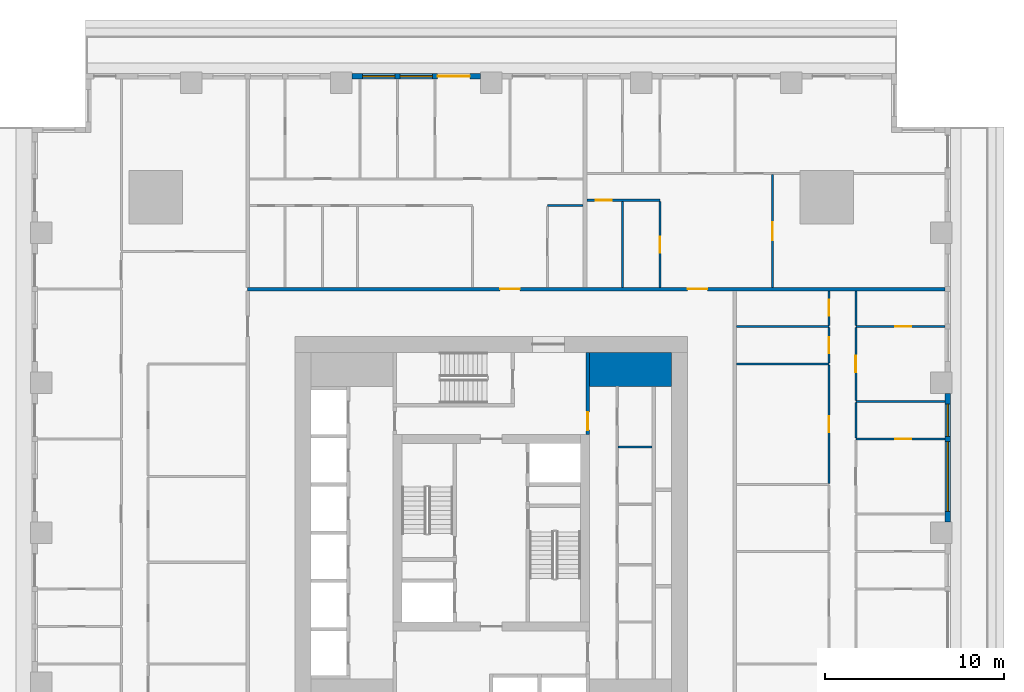
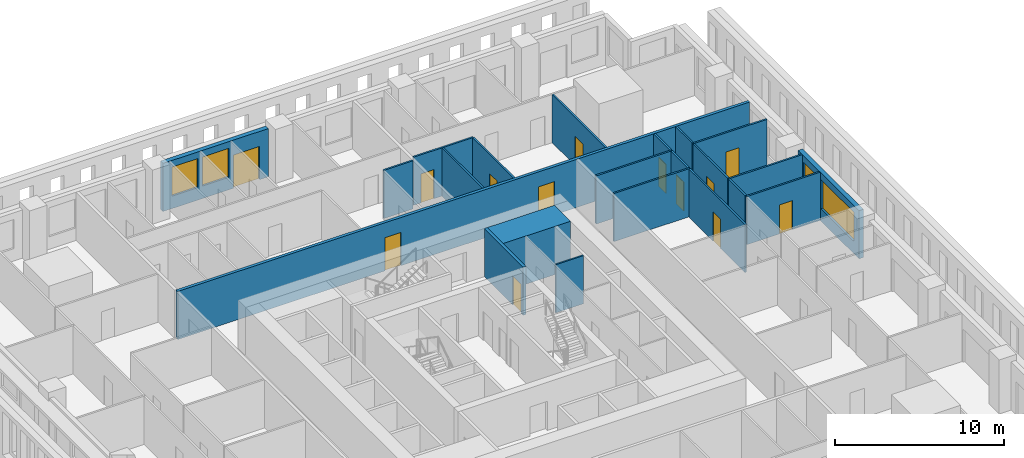
# One storey, part 8 of 15: 22 walls, 13 doors, 4 windows, 17 openings.
"""IFC4 building model written with IfcOpenShell, lengths in metres."""

import ifcopenshell
import ifcopenshell.guid

model = None  # the IFC model being written
_history = None  # IfcOwnerHistory: only IFC2X3 demands one
_inside = {}  # id of a spatial element -> (the spatial element, [elements in it])
_under = {}  # id of a project, library or spatial element -> (it, [spatial elements below it])
_declared = {}  # id of a project -> (the project, [libraries it declares])
_typed = {}  # id of a type object -> (the type object, [elements of that type])
_made_of = {}  # id of a material, layer set ... -> (it, [elements and type objects made of it])


def new_model(schema):
    """Start an empty IFC model of exactly this schema.

    Asked for "IFC4X3", IfcOpenShell would pick the latest addendum, in which some entities
    have other attributes; the version numbers below select the first issue.
    IFC2X3 requires an IfcOwnerHistory on every rooted entity: one is made here for all.
    """
    global model, _history
    if schema == "IFC4X3":
        model = ifcopenshell.file(schema_version=(4, 3, 0, 0))
    else:
        model = ifcopenshell.file(schema=schema)
    _inside.clear()
    _under.clear()
    _declared.clear()
    _typed.clear()
    _made_of.clear()
    _history = None
    if model.schema == "IFC2X3":
        org = make("IfcOrganization", Name="unknown")
        user = make(
            "IfcPersonAndOrganization",
            ThePerson=make("IfcPerson", FamilyName="unknown"),
            TheOrganization=org,
        )
        app = make(
            "IfcApplication",
            ApplicationDeveloper=org,
            Version="unknown",
            ApplicationFullName="unknown",
            ApplicationIdentifier="unknown",
        )
        _history = make(
            "IfcOwnerHistory",
            OwningUser=user,
            OwningApplication=app,
            ChangeAction="ADDED",
            CreationDate=0,
        )
    return model


def make(cls, **values):
    """One entity of the class cls with the attributes given. An attribute that is None is left unset."""
    return model.create_entity(
        cls, **{name: value for name, value in values.items() if value is not None}
    )


def rooted(cls, **values):
    """An entity with a GlobalId (a new one), such as an element, a storey or a relation."""
    return make(cls, GlobalId=ifcopenshell.guid.new(), OwnerHistory=_history, **values)


def si_unit(unit_type, name, prefix=None):
    """IfcSIUnit, for example si_unit("LENGTHUNIT", "METRE", prefix="MILLI")."""
    return make("IfcSIUnit", UnitType=unit_type, Prefix=prefix, Name=name)


def assignment(units):
    """IfcUnitAssignment: the units of a project."""
    return None if units is None else make("IfcUnitAssignment", Units=units)


def point(xyz):
    """IfcCartesianPoint."""
    return None if xyz is None else make("IfcCartesianPoint", Coordinates=xyz)


def direction(xyz):
    """IfcDirection."""
    return None if xyz is None else make("IfcDirection", DirectionRatios=xyz)


def frame(location, z_axis=None, x_axis=None):
    """IfcAxis2Placement3D, a coordinate frame: its origin and axes. An axis left out is left unset."""
    return make(
        "IfcAxis2Placement3D",
        Location=point(location),
        Axis=direction(z_axis),
        RefDirection=direction(x_axis),
    )


def frame_2d(location, x_axis=None):
    """IfcAxis2Placement2D, a coordinate frame in the plane: its origin and x axis."""
    return make(
        "IfcAxis2Placement2D", Location=point(location), RefDirection=direction(x_axis)
    )


def origin():
    """The frame at (0, 0, 0) with its axes left unset."""
    return frame((0.0, 0.0, 0.0))


def place(relative_to, where):
    """IfcLocalPlacement: puts the frame where relative to a parent placement (None: the world)."""
    return make(
        "IfcLocalPlacement", PlacementRelTo=relative_to, RelativePlacement=where
    )


def context(
    kind, dimensions, precision=None, world=None, true_north=None, identifier=None
):
    """IfcGeometricRepresentationContext, for example the 3D "Model" context."""
    return make(
        "IfcGeometricRepresentationContext",
        ContextIdentifier=identifier,
        ContextType=kind,
        CoordinateSpaceDimension=dimensions,
        Precision=precision,
        WorldCoordinateSystem=world,
        TrueNorth=true_north,
    )


def subcontext(parent, identifier, kind, view, scale=None):
    """IfcGeometricRepresentationSubContext, for example "Body" below "Model"."""
    return make(
        "IfcGeometricRepresentationSubContext",
        ContextIdentifier=identifier,
        ContextType=kind,
        ParentContext=parent,
        TargetScale=scale,
        TargetView=view,
    )


def project(units=None, contexts=None):
    """IfcProject with its units and contexts."""
    return rooted(
        "IfcProject",
        Name="project",
        RepresentationContexts=contexts,
        UnitsInContext=assignment(units),
    )


def spatial(cls, under=None, at=None, **own):
    """A site, building, storey or space (cls), placed at a placement, below another one or the project."""
    s = rooted(cls, ObjectPlacement=at, **own)
    if under is not None:
        _under.setdefault(under.id(), (under, []))[1].append(s)
    return s


def profile(cls, at=None, kind="AREA", **sizes):
    """A parametric profile (cls). Its sizes go by their IFC names, for example OverallWidth=200.0."""
    return make(cls, ProfileType=kind, Position=at, **sizes)


def rectangle(**sizes):
    """IfcRectangleProfileDef."""
    return profile("IfcRectangleProfileDef", **sizes)


def extrude(swept, where, along, depth):
    """IfcExtrudedAreaSolid: the profile swept, set in the frame where, extruded along a direction by depth."""
    return make(
        "IfcExtrudedAreaSolid",
        SweptArea=swept,
        Position=where,
        ExtrudedDirection=direction(along),
        Depth=depth,
    )


def shape(context_of_items, identifier, shape_type, items):
    """IfcShapeRepresentation: the items that make up one representation, for example the "Body"."""
    return make(
        "IfcShapeRepresentation",
        ContextOfItems=context_of_items,
        RepresentationIdentifier=identifier,
        RepresentationType=shape_type,
        Items=items,
    )


def material(Name=None, Category=None):
    """IfcMaterial."""
    return make("IfcMaterial", Name=Name, Category=Category)


def layer(
    of_material, thickness, ventilated=None, Name=None, Category=None, Priority=None
):
    """IfcMaterialLayer: one layer of a wall or slab, of a material (None: an air gap)."""
    return make(
        "IfcMaterialLayer",
        Material=of_material,
        LayerThickness=thickness,
        IsVentilated=ventilated,
        Name=Name,
        Category=Category,
        Priority=Priority,
    )


def layer_set(layers, Name=None):
    """IfcMaterialLayerSet."""
    return make("IfcMaterialLayerSet", MaterialLayers=layers, LayerSetName=Name)


def made_of(thing, what):
    """Note that an element or type object is made of a material, layer set ...; save() writes the relation."""
    if what is not None:
        _made_of.setdefault(what.id(), (what, []))[1].append(thing)
    return thing


def type_object(cls, material=None, **own):
    """A type object (cls), such as IfcWallType, which elements share."""
    return made_of(rooted(cls, **own), material)


def element(
    cls,
    number,
    at=None,
    inside=None,
    cuts=None,
    type_object=None,
    material=None,
    context=None,
    identifier="Body",
    shape_type=None,
    held_by="IfcProductDefinitionShape",
    body=None,
    shapes=None,
    **own,
):
    """One element of the class cls, such as IfcWall. Its Tag is "e" and its number.

    at: its placement. inside: the storey or other place that contains it. cuts: it is an
    opening in that element (IfcRelVoidsElement). A single representation is given by context,
    identifier, shape_type and body (its items); several are given by shapes. held_by: the class
    of the entity that holds the representations. save() writes the other relations.
    """
    e = rooted(cls, Tag="e%d" % number, ObjectPlacement=at, **own)
    if body is not None:
        shapes = [shape(context, identifier, shape_type, body)]
    if shapes is not None:
        e.Representation = make(held_by, Representations=shapes)
    if inside is not None:
        _inside.setdefault(inside.id(), (inside, []))[1].append(e)
    if cuts is not None:
        rooted(
            "IfcRelVoidsElement", RelatingBuildingElement=cuts, RelatedOpeningElement=e
        )
    if type_object is not None:
        _typed.setdefault(type_object.id(), (type_object, []))[1].append(e)
    return made_of(e, material)


def fill(opening, filler):
    """IfcRelFillsElement: the door or window that sits in an opening."""
    return rooted(
        "IfcRelFillsElement",
        RelatingOpeningElement=opening,
        RelatedBuildingElement=filler,
    )


def aggregate(whole, parts):
    """IfcRelAggregates: a whole, such as a stair, and the parts it consists of."""
    return rooted("IfcRelAggregates", RelatingObject=whole, RelatedObjects=parts)


def save(model, path):
    """Write the relations noted so far, then the file.

    IfcRelAggregates (storeys below a building ...), IfcRelContainedInSpatialStructure (elements
    in a storey), IfcRelDefinesByType, IfcRelAssociatesMaterial and IfcRelDeclares: one each for
    every whole, place, type object, material and project.
    """
    for whole, parts in _under.values():
        aggregate(whole, parts)
    for where, things in _inside.values():
        rooted(
            "IfcRelContainedInSpatialStructure",
            RelatedElements=things,
            RelatingStructure=where,
        )
    for kind, things in _typed.values():
        rooted("IfcRelDefinesByType", RelatedObjects=things, RelatingType=kind)
    for what, things in _made_of.values():
        rooted("IfcRelAssociatesMaterial", RelatedObjects=things, RelatingMaterial=what)
    for by, libraries in _declared.values():
        rooted("IfcRelDeclares", RelatingContext=by, RelatedDefinitions=libraries)
    model.write(path)


model = new_model("IFC4")

# Units and contexts
model_context = context("Model", 3, precision=1e-05, world=origin(), true_north=direction((0.0, 1.0)))
body_context = subcontext(model_context, "Body", "Model", "MODEL_VIEW")
ifc_project = project(units=[si_unit("LENGTHUNIT", "METRE"), si_unit("AREAUNIT", "SQUARE_METRE"), si_unit("VOLUMEUNIT", "CUBIC_METRE"), si_unit("PLANEANGLEUNIT", "RADIAN"), si_unit("MASSUNIT", "GRAM", prefix="KILO")], contexts=[model_context])

# Site, building, storey
site_placement = place(None, origin())
site = spatial("IfcSite", under=ifc_project, at=site_placement, CompositionType="ELEMENT")
building_placement = place(site_placement, origin())
building = spatial("IfcBuilding", under=site, at=building_placement, Name="Khepri Terraces", CompositionType="ELEMENT")
storey_placement = place(building_placement, frame((0.0, 0.0, 42.60009765625)))
storey = spatial("IfcBuildingStorey", under=building, at=storey_placement, Name="L09", CompositionType="ELEMENT", Elevation=42.60009765625)

# Walls
ifc_material_1 = material(Name="Concrete C80/95", Category="concrete")
ifc_layer_1 = layer(ifc_material_1, 1.89990234375, Name="Concrete C80/95", Category="concrete")
ifc_layer_set_1 = layer_set([ifc_layer_1], Name="Concrete C80/95")
wall_type_1 = type_object("IfcWallType", Name="Core wall 1900 C80/95", PredefinedType="SHEAR", material=ifc_layer_set_1)
wall_1_placement = place(storey_placement, frame((5.5, 9.14990234375, 0.0), z_axis=(0.0, 0.0, 1.0), x_axis=(1.0, 0.0, 0.0)))
element("IfcWall", 1, at=wall_1_placement, inside=storey, type_object=wall_type_1, Name="Core wall PR04 L09", PredefinedType="SHEAR", context=body_context, shape_type="SweptSolid", body=[
    extrude(rectangle(XDim=4.60009765625, YDim=1.89990234375, at=frame_2d((2.300048828125, 0.0))), origin(), (0.0, 0.0, 1.0), 3.47998046875),
])
ifc_material_2 = material(Name="Fire-rated gypsum board partition")
ifc_layer_2 = layer(ifc_material_2, 0.10009765625, Name="Fire-rated gypsum board partition")
ifc_layer_set_2 = layer_set([ifc_layer_2], Name="Fire-rated gypsum board partition")
wall_type_2 = type_object("IfcWallType", Name="WL-CORE-PART-100", PredefinedType="PARTITIONING", material=ifc_layer_set_2)
wall_2_placement = place(storey_placement, frame((7.10009765625, 4.800048828125, 0.0), z_axis=(0.0, 0.0, 1.0), x_axis=(1.0, 0.0, 0.0)))
element("IfcWall", 2, at=wall_2_placement, inside=storey, type_object=wall_type_2, Name="Core partition PT07 L09", PredefinedType="PARTITIONING", context=body_context, shape_type="SweptSolid", body=[
    extrude(rectangle(XDim=1.89990234375, YDim=0.10009765625, at=frame_2d((0.949951171875, 0.0))), origin(), (0.0, 0.0, 1.0), 3.47998046875),
])

# Wall, opening, door
ifc_layer_3 = layer(ifc_material_2, 0.199951171875, Name="Fire-rated gypsum board partition")
ifc_layer_set_3 = layer_set([ifc_layer_3], Name="Fire-rated gypsum board partition")
wall_type_3 = type_object("IfcWallType", Name="WL-CORE-PART-200", PredefinedType="PARTITIONING", material=ifc_layer_set_3)
wall_3_placement = place(storey_placement, frame((5.39990234375, 5.5, 0.0), z_axis=(0.0, 0.0, 1.0), x_axis=(0.0, 1.0, 0.0)))
wall_3 = element("IfcWall", 3, at=wall_3_placement, inside=storey, type_object=wall_type_3, Name="Core partition PT09 L09", PredefinedType="PARTITIONING", context=body_context, shape_type="SweptSolid", body=[
    extrude(rectangle(XDim=4.60009765625, YDim=0.199951171875, at=frame_2d((2.300048828125, 0.0))), origin(), (0.0, 0.0, 1.0), 3.47998046875),
])
opening_1_placement = place(wall_3_placement, frame((0.25, 0.0, 0.0)))
opening_1 = element("IfcOpeningElement", 4, at=opening_1_placement, cuts=wall_3, Name="Opening L09-C17", PredefinedType="OPENING", context=body_context, shape_type="SweptSolid", body=[
    extrude(rectangle(XDim=1.0, YDim=2.10009765625, at=frame_2d((0.5, 1.050048828125))), frame((0.0, 0.10986328125, 0.0), z_axis=(0.0, -1.0, 0.0), x_axis=(1.0, 0.0, 0.0)), (0.0, 0.0, 1.0), 0.219970703125),
])
ifc_material_3 = material(Name="Painted steel", Category="steel")
door_type_1 = type_object("IfcDoorType", Name="DR-CORE-LOBBY-1000", OperationType="NOTDEFINED", PredefinedType="DOOR", material=ifc_material_3)
door_1_placement = place(opening_1_placement, origin())
door_1 = element("IfcDoor", 5, at=door_1_placement, inside=storey, type_object=door_type_1, Name="Lobby door L09-C17", OperationType="SINGLE_SWING_LEFT", OverallHeight=2.10009765625, OverallWidth=1.0, PredefinedType="DOOR", context=body_context, shape_type="SweptSolid", body=[
    extrude(rectangle(XDim=1.0, YDim=2.10009765625, at=frame_2d((0.5, 1.050048828125))), frame((0.0, 0.02490234375, 0.0), z_axis=(0.0, -1.0, 0.0), x_axis=(1.0, 0.0, 0.0)), (0.0, 0.0, 1.0), 0.050048828125),
])
fill(opening_1, door_1)

# Wall, openings, doors
ifc_material_4 = material(Name="Fire-rated gypsum plasterboard partition, mineral wool")
ifc_layer_4 = layer(ifc_material_4, 0.199951171875, Name="Fire-rated gypsum plasterboard partition, mineral wool")
ifc_layer_set_4 = layer_set([ifc_layer_4], Name="Fire-rated gypsum plasterboard partition, mineral wool")
wall_type_4 = type_object("IfcWallType", Name="WL-CORR-200", PredefinedType="PARTITIONING", material=ifc_layer_set_4)
wall_4_placement = place(storey_placement, frame((-13.64990234375, 13.64990234375, 0.0), z_axis=(0.0, 0.0, 1.0), x_axis=(1.0, 0.0, 0.0)))
wall_4 = element("IfcWall", 6, at=wall_4_placement, inside=storey, type_object=wall_type_4, Name="Partition P-069 L09", PredefinedType="PARTITIONING", context=body_context, shape_type="SweptSolid", body=[
    extrude(rectangle(XDim=39.06982421875, YDim=0.199951171875, at=frame_2d((19.534912109375, 0.0))), origin(), (0.0, 0.0, 1.0), 3.47998046875),
])
opening_2_placement = place(wall_4_placement, frame((24.64990234375, 0.0, 0.0)))
opening_2 = element("IfcOpeningElement", 7, at=opening_2_placement, cuts=wall_4, Name="Opening D1", PredefinedType="OPENING", context=body_context, shape_type="SweptSolid", body=[
    extrude(rectangle(XDim=1.10009765625, YDim=2.39990234375, at=frame_2d((0.550048828125, 1.199951171875))), frame((0.0, 0.10986328125, 0.0), z_axis=(0.0, -1.0, 0.0), x_axis=(1.0, 0.0, 0.0)), (0.0, 0.0, 1.0), 0.219970703125),
])
opening_3_placement = place(wall_4_placement, frame((14.14990234375, 0.0, 0.0)))
opening_3 = element("IfcOpeningElement", 8, at=opening_3_placement, cuts=wall_4, Name="Opening D1", PredefinedType="OPENING", context=body_context, shape_type="SweptSolid", body=[
    extrude(rectangle(XDim=1.10009765625, YDim=2.39990234375, at=frame_2d((0.550048828125, 1.199951171875))), frame((0.0, 0.10986328125, 0.0), z_axis=(0.0, -1.0, 0.0), x_axis=(1.0, 0.0, 0.0)), (0.0, 0.0, 1.0), 0.219970703125),
])
ifc_material_5 = material(Name="Solid-core timber door leaf, flat entrance door", Category="wood")
door_type_2 = type_object("IfcDoorType", Name="DR-ENT-1100", OperationType="NOTDEFINED", PredefinedType="DOOR", material=ifc_material_5)
door_2_placement = place(opening_2_placement, origin())
door_2 = element("IfcDoor", 9, at=door_2_placement, inside=storey, type_object=door_type_2, Name="Flat C1 entrance door", OperationType="SINGLE_SWING_RIGHT", OverallHeight=2.39990234375, OverallWidth=1.10009765625, PredefinedType="DOOR", context=body_context, shape_type="SweptSolid", body=[
    extrude(rectangle(XDim=1.10009765625, YDim=2.39990234375, at=frame_2d((0.550048828125, 1.199951171875))), frame((0.0, 0.02490234375, 0.0), z_axis=(0.0, -1.0, 0.0), x_axis=(1.0, 0.0, 0.0)), (0.0, 0.0, 1.0), 0.050048828125),
])
fill(opening_2, door_2)
door_3_placement = place(opening_3_placement, origin())
door_3 = element("IfcDoor", 10, at=door_3_placement, inside=storey, type_object=door_type_2, Name="Flat C2 entrance door", OperationType="SINGLE_SWING_LEFT", OverallHeight=2.39990234375, OverallWidth=1.10009765625, PredefinedType="DOOR", context=body_context, shape_type="SweptSolid", body=[
    extrude(rectangle(XDim=1.10009765625, YDim=2.39990234375, at=frame_2d((0.550048828125, 1.199951171875))), frame((0.0, 0.02490234375, 0.0), z_axis=(0.0, -1.0, 0.0), x_axis=(1.0, 0.0, 0.0)), (0.0, 0.0, 1.0), 0.050048828125),
])
fill(opening_3, door_3)

# Wall, openings, windows
ifc_material_6 = material(Name="Precast concrete C50/60 warm stone", Category="masonry")
ifc_layer_5 = layer(ifc_material_6, 0.300048828125, Name="Precast concrete C50/60 warm stone", Category="masonry")
ifc_layer_set_5 = layer_set([ifc_layer_5], Name="Precast concrete C50/60 warm stone")
wall_type_5 = type_object("IfcWallType", Name="WL-EXT-PRECAST-300", PredefinedType="STANDARD", material=ifc_layer_set_5)
wall_5_placement = place(storey_placement, frame((25.570068359375, 0.60009765625, 0.0), z_axis=(0.0, 0.0, 1.0), x_axis=(0.0, 1.0, 0.0)))
wall_5 = element("IfcWall", 11, at=wall_5_placement, inside=storey, type_object=wall_type_5, Name="External wall L09 E", PredefinedType="STANDARD", context=body_context, shape_type="SweptSolid", body=[
    extrude(rectangle(XDim=7.199951171875, YDim=0.300048828125, at=frame_2d((3.60009765625, 0.0))), origin(), (0.0, 0.0, 1.0), 3.47998046875),
])
opening_4_placement = place(wall_5_placement, frame((0.60009765625, 0.0, 0.89990234375)))
opening_4 = element("IfcOpeningElement", 12, at=opening_4_placement, cuts=wall_5, Name="Opening W2", PredefinedType="OPENING", context=body_context, shape_type="SweptSolid", body=[
    extrude(rectangle(XDim=3.89990234375, YDim=2.10009765625, at=frame_2d((1.949951171875, 1.050048828125))), frame((0.0, 0.16015625, 0.0), z_axis=(0.0, -1.0, 0.0), x_axis=(1.0, 0.0, 0.0)), (0.0, 0.0, 1.0), 0.320068359375),
])
opening_5_placement = place(wall_5_placement, frame((4.800048828125, 0.0, 0.89990234375)))
opening_5 = element("IfcOpeningElement", 13, at=opening_5_placement, cuts=wall_5, Name="Opening W1", PredefinedType="OPENING", context=body_context, shape_type="SweptSolid", body=[
    extrude(rectangle(XDim=1.800048828125, YDim=2.10009765625, at=frame_2d((0.89990234375, 1.050048828125))), frame((0.0, 0.16015625, 0.0), z_axis=(0.0, -1.0, 0.0), x_axis=(1.0, 0.0, 0.0)), (0.0, 0.0, 1.0), 0.320068359375),
])
ifc_material_7 = material(Name="Clear glass", Category="glass")
window_type_1 = type_object("IfcWindowType", Name="WIN-RES-1800x2100", PartitioningType="SINGLE_PANEL", PredefinedType="WINDOW", material=ifc_material_7)
window_1_placement = place(opening_5_placement, origin())
window_1 = element("IfcWindow", 14, at=window_1_placement, inside=storey, type_object=window_type_1, Name="Window L09 E", OverallHeight=2.10009765625, OverallWidth=1.800048828125, PartitioningType="SINGLE_PANEL", PredefinedType="WINDOW", context=body_context, shape_type="SweptSolid", body=[
    extrude(rectangle(XDim=1.800048828125, YDim=2.10009765625, at=frame_2d((0.89990234375, 1.050048828125))), frame((0.0, 0.030029296875, 0.0), z_axis=(0.0, -1.0, 0.0), x_axis=(1.0, 0.0, 0.0)), (0.0, 0.0, 1.0), 0.06005859375),
])
fill(opening_5, window_1)
window_type_2 = type_object("IfcWindowType", Name="WIN-RES-3900x2100", PartitioningType="SINGLE_PANEL", PredefinedType="WINDOW", material=ifc_material_7)
window_2_placement = place(opening_4_placement, origin())
window_2 = element("IfcWindow", 15, at=window_2_placement, inside=storey, type_object=window_type_2, Name="Window L09 E", OverallHeight=2.10009765625, OverallWidth=3.89990234375, PartitioningType="SINGLE_PANEL", PredefinedType="WINDOW", context=body_context, shape_type="SweptSolid", body=[
    extrude(rectangle(XDim=3.89990234375, YDim=2.10009765625, at=frame_2d((1.949951171875, 1.050048828125))), frame((0.0, 0.030029296875, 0.0), z_axis=(0.0, -1.0, 0.0), x_axis=(1.0, 0.0, 0.0)), (0.0, 0.0, 1.0), 0.06005859375),
])
fill(opening_4, window_2)

# Wall, openings, door, windows
wall_6_placement = place(storey_placement, frame((-0.60009765625, 25.570068359375, 0.0), z_axis=(0.0, 0.0, 1.0), x_axis=(-1.0, 0.0, 0.0)))
wall_6 = element("IfcWall", 16, at=wall_6_placement, inside=storey, type_object=wall_type_5, Name="External wall L09 N", PredefinedType="STANDARD", context=body_context, shape_type="SweptSolid", body=[
    extrude(rectangle(XDim=7.199951171875, YDim=0.300048828125, at=frame_2d((3.60009765625, 0.0))), origin(), (0.0, 0.0, 1.0), 3.47998046875),
])
opening_6_placement = place(wall_6_placement, frame((0.60009765625, 0.0, 0.0)))
opening_6 = element("IfcOpeningElement", 17, at=opening_6_placement, cuts=wall_6, Name="Opening ED-L09-10", PredefinedType="OPENING", context=body_context, shape_type="SweptSolid", body=[
    extrude(rectangle(XDim=1.800048828125, YDim=2.39990234375, at=frame_2d((0.89990234375, 1.199951171875))), frame((0.0, 0.16015625, 0.0), z_axis=(0.0, -1.0, 0.0), x_axis=(1.0, 0.0, 0.0)), (0.0, 0.0, 1.0), 0.320068359375),
])
opening_7_placement = place(wall_6_placement, frame((2.699951171875, 0.0, 0.89990234375)))
opening_7 = element("IfcOpeningElement", 18, at=opening_7_placement, cuts=wall_6, Name="Opening W1", PredefinedType="OPENING", context=body_context, shape_type="SweptSolid", body=[
    extrude(rectangle(XDim=1.800048828125, YDim=2.10009765625, at=frame_2d((0.89990234375, 1.050048828125))), frame((0.0, 0.16015625, 0.0), z_axis=(0.0, -1.0, 0.0), x_axis=(1.0, 0.0, 0.0)), (0.0, 0.0, 1.0), 0.320068359375),
])
opening_8_placement = place(wall_6_placement, frame((4.800048828125, 0.0, 0.89990234375)))
opening_8 = element("IfcOpeningElement", 19, at=opening_8_placement, cuts=wall_6, Name="Opening W1", PredefinedType="OPENING", context=body_context, shape_type="SweptSolid", body=[
    extrude(rectangle(XDim=1.800048828125, YDim=2.10009765625, at=frame_2d((0.89990234375, 1.050048828125))), frame((0.0, 0.16015625, 0.0), z_axis=(0.0, -1.0, 0.0), x_axis=(1.0, 0.0, 0.0)), (0.0, 0.0, 1.0), 0.320068359375),
])
ifc_material_8 = material(Name="Anodised aluminium bronze glazed door", Category="aluminium")
door_type_3 = type_object("IfcDoorType", Name="DR-BAL-SLIDE-1800x2400", OperationType="NOTDEFINED", PredefinedType="DOOR", material=ifc_material_8)
door_4_placement = place(opening_6_placement, origin())
door_4 = element("IfcDoor", 20, at=door_4_placement, inside=storey, type_object=door_type_3, Name="Balcony door L09 N", OperationType="SLIDING_TO_LEFT", OverallHeight=2.39990234375, OverallWidth=1.800048828125, PredefinedType="DOOR", context=body_context, shape_type="SweptSolid", body=[
    extrude(rectangle(XDim=1.800048828125, YDim=2.39990234375, at=frame_2d((0.89990234375, 1.199951171875))), frame((0.0, 0.02490234375, 0.0), z_axis=(0.0, -1.0, 0.0), x_axis=(1.0, 0.0, 0.0)), (0.0, 0.0, 1.0), 0.050048828125),
])
fill(opening_6, door_4)
window_3_placement = place(opening_7_placement, origin())
window_3 = element("IfcWindow", 21, at=window_3_placement, inside=storey, type_object=window_type_1, Name="Window L09 N", OverallHeight=2.10009765625, OverallWidth=1.800048828125, PartitioningType="SINGLE_PANEL", PredefinedType="WINDOW", context=body_context, shape_type="SweptSolid", body=[
    extrude(rectangle(XDim=1.800048828125, YDim=2.10009765625, at=frame_2d((0.89990234375, 1.050048828125))), frame((0.0, 0.030029296875, 0.0), z_axis=(0.0, -1.0, 0.0), x_axis=(1.0, 0.0, 0.0)), (0.0, 0.0, 1.0), 0.06005859375),
])
fill(opening_7, window_3)
window_4_placement = place(opening_8_placement, origin())
window_4 = element("IfcWindow", 22, at=window_4_placement, inside=storey, type_object=window_type_1, Name="Window L09 N", OverallHeight=2.10009765625, OverallWidth=1.800048828125, PartitioningType="SINGLE_PANEL", PredefinedType="WINDOW", context=body_context, shape_type="SweptSolid", body=[
    extrude(rectangle(XDim=1.800048828125, YDim=2.10009765625, at=frame_2d((0.89990234375, 1.050048828125))), frame((0.0, 0.030029296875, 0.0), z_axis=(0.0, -1.0, 0.0), x_axis=(1.0, 0.0, 0.0)), (0.0, 0.0, 1.0), 0.06005859375),
])
fill(opening_8, window_4)

# Wall, opening, door
ifc_material_9 = material(Name="Gypsum plasterboard partition")
ifc_layer_6 = layer(ifc_material_9, 0.1201171875, Name="Gypsum plasterboard partition")
ifc_layer_set_6 = layer_set([ifc_layer_6], Name="Gypsum plasterboard partition")
wall_type_6 = type_object("IfcWallType", Name="WL-PART-120", PredefinedType="PARTITIONING", material=ifc_layer_set_6)
wall_7_placement = place(storey_placement, frame((18.919921875, 2.760009765625, 0.0), z_axis=(0.0, 0.0, 1.0), x_axis=(0.0, 1.0, 0.0)))
wall_7 = element("IfcWall", 23, at=wall_7_placement, inside=storey, type_object=wall_type_6, Name="Partition P-052 L09", PredefinedType="PARTITIONING", context=body_context, shape_type="SweptSolid", body=[
    extrude(rectangle(XDim=6.6298828125, YDim=0.1201171875, at=frame_2d((3.31494140625, 0.0))), origin(), (0.0, 0.0, 1.0), 3.47998046875),
])
opening_9_placement = place(wall_7_placement, frame((2.864990234375, 0.0, 0.0)))
opening_9 = element("IfcOpeningElement", 24, at=opening_9_placement, cuts=wall_7, Name="Opening D3", PredefinedType="OPENING", context=body_context, shape_type="SweptSolid", body=[
    extrude(rectangle(XDim=0.89990234375, YDim=2.10009765625, at=frame_2d((0.449951171875, 1.050048828125))), frame((0.0, 0.070068359375, 0.0), z_axis=(0.0, -1.0, 0.0), x_axis=(1.0, 0.0, 0.0)), (0.0, 0.0, 1.0), 0.14013671875),
])
ifc_material_10 = material(Name="Timber door leaf", Category="wood")
door_type_4 = type_object("IfcDoorType", Name="DR-INT-900", OperationType="NOTDEFINED", PredefinedType="DOOR", material=ifc_material_10)
door_5_placement = place(opening_9_placement, origin())
door_5 = element("IfcDoor", 25, at=door_5_placement, inside=storey, type_object=door_type_4, Name="Door Staff Bedroom", OperationType="SINGLE_SWING_LEFT", OverallHeight=2.10009765625, OverallWidth=0.89990234375, PredefinedType="DOOR", context=body_context, shape_type="SweptSolid", body=[
    extrude(rectangle(XDim=0.89990234375, YDim=2.10009765625, at=frame_2d((0.449951171875, 1.050048828125))), frame((0.0, 0.02490234375, 0.0), z_axis=(0.0, -1.0, 0.0), x_axis=(1.0, 0.0, 0.0)), (0.0, 0.0, 1.0), 0.050048828125),
])
fill(opening_9, door_5)

wall_8_placement = place(storey_placement, frame((20.419921875, 5.25, 0.0), z_axis=(0.0, 0.0, 1.0), x_axis=(1.0, 0.0, 0.0)))
wall_8 = element("IfcWall", 26, at=wall_8_placement, inside=storey, type_object=wall_type_6, Name="Partition P-056 L09", PredefinedType="PARTITIONING", context=body_context, shape_type="SweptSolid", body=[
    extrude(rectangle(XDim=5.0, YDim=0.1201171875, at=frame_2d((2.5, 0.0))), origin(), (0.0, 0.0, 1.0), 3.47998046875),
])
opening_10_placement = place(wall_8_placement, frame((2.199951171875, 0.0, 0.0)))
opening_10 = element("IfcOpeningElement", 27, at=opening_10_placement, cuts=wall_8, Name="Opening D4", PredefinedType="OPENING", context=body_context, shape_type="SweptSolid", body=[
    extrude(rectangle(XDim=0.89990234375, YDim=2.10009765625, at=frame_2d((0.449951171875, 1.050048828125))), frame((0.0, 0.070068359375, 0.0), z_axis=(0.0, -1.0, 0.0), x_axis=(1.0, 0.0, 0.0)), (0.0, 0.0, 1.0), 0.14013671875),
])
ifc_material_11 = material(Name="Timber door leaf, moisture resistant", Category="wood")
door_type_5 = type_object("IfcDoorType", Name="DR-WET-900", OperationType="NOTDEFINED", PredefinedType="DOOR", material=ifc_material_11)
door_6_placement = place(opening_10_placement, origin())
door_6 = element("IfcDoor", 28, at=door_6_placement, inside=storey, type_object=door_type_5, Name="Door Bathroom", OperationType="SINGLE_SWING_RIGHT", OverallHeight=2.10009765625, OverallWidth=0.89990234375, PredefinedType="DOOR", context=body_context, shape_type="SweptSolid", body=[
    extrude(rectangle(XDim=0.89990234375, YDim=2.10009765625, at=frame_2d((0.449951171875, 1.050048828125))), frame((0.0, 0.02490234375, 0.0), z_axis=(0.0, -1.0, 0.0), x_axis=(1.0, 0.0, 0.0)), (0.0, 0.0, 1.0), 0.050048828125),
])
fill(opening_10, door_6)

# Walls
wall_9_placement = place(storey_placement, frame((20.419921875, 5.31005859375, 0.0), z_axis=(0.0, 0.0, 1.0), x_axis=(0.0, 1.0, 0.0)))
element("IfcWall", 29, at=wall_9_placement, inside=storey, type_object=wall_type_6, Name="Partition P-058 L09", PredefinedType="PARTITIONING", context=body_context, shape_type="SweptSolid", body=[
    extrude(rectangle(XDim=1.97998046875, YDim=0.1201171875, at=frame_2d((0.989990234375, 0.0))), origin(), (0.0, 0.0, 1.0), 3.47998046875),
])
wall_10_placement = place(storey_placement, frame((20.419921875, 7.35009765625, 0.0), z_axis=(0.0, 0.0, 1.0), x_axis=(1.0, 0.0, 0.0)))
element("IfcWall", 30, at=wall_10_placement, inside=storey, type_object=wall_type_6, Name="Partition P-059 L09", PredefinedType="PARTITIONING", context=body_context, shape_type="SweptSolid", body=[
    extrude(rectangle(XDim=5.0, YDim=0.1201171875, at=frame_2d((2.5, 0.0))), origin(), (0.0, 0.0, 1.0), 3.47998046875),
])

# Wall, opening, door
wall_11_placement = place(storey_placement, frame((20.419921875, 7.409912109375, 0.0), z_axis=(0.0, 0.0, 1.0), x_axis=(0.0, 1.0, 0.0)))
wall_11 = element("IfcWall", 31, at=wall_11_placement, inside=storey, type_object=wall_type_6, Name="Partition P-060 L09", PredefinedType="PARTITIONING", context=body_context, shape_type="SweptSolid", body=[
    extrude(rectangle(XDim=4.080078125, YDim=0.1201171875, at=frame_2d((2.0400390625, 0.0))), origin(), (0.0, 0.0, 1.0), 3.47998046875),
])
opening_11_placement = place(wall_11_placement, frame((1.590087890625, 0.0, 0.0)))
opening_11 = element("IfcOpeningElement", 32, at=opening_11_placement, cuts=wall_11, Name="Opening D3", PredefinedType="OPENING", context=body_context, shape_type="SweptSolid", body=[
    extrude(rectangle(XDim=0.89990234375, YDim=2.10009765625, at=frame_2d((0.449951171875, 1.050048828125))), frame((0.0, 0.070068359375, 0.0), z_axis=(0.0, -1.0, 0.0), x_axis=(1.0, 0.0, 0.0)), (0.0, 0.0, 1.0), 0.14013671875),
])
door_7_placement = place(opening_11_placement, frame((0.89990234375, 0.0, 0.0), z_axis=(0.0, 0.0, 1.0), x_axis=(-1.0, 0.0, 0.0)))
door_7 = element("IfcDoor", 33, at=door_7_placement, inside=storey, type_object=door_type_4, Name="Door Bedroom", OperationType="SINGLE_SWING_RIGHT", OverallHeight=2.10009765625, OverallWidth=0.89990234375, PredefinedType="DOOR", context=body_context, shape_type="SweptSolid", body=[
    extrude(rectangle(XDim=0.89990234375, YDim=2.10009765625, at=frame_2d((0.449951171875, 1.050048828125))), frame((0.0, 0.02490234375, 0.0), z_axis=(0.0, -1.0, 0.0), x_axis=(1.0, 0.0, 0.0)), (0.0, 0.0, 1.0), 0.050048828125),
])
fill(opening_11, door_7)

# Wall
wall_12_placement = place(storey_placement, frame((13.75, 9.449951171875, 0.0), z_axis=(0.0, 0.0, 1.0), x_axis=(1.0, 0.0, 0.0)))
element("IfcWall", 34, at=wall_12_placement, inside=storey, type_object=wall_type_6, Name="Partition P-062 L09", PredefinedType="PARTITIONING", context=body_context, shape_type="SweptSolid", body=[
    extrude(rectangle(XDim=5.169921875, YDim=0.1201171875, at=frame_2d((2.5849609375, 0.0))), origin(), (0.0, 0.0, 1.0), 3.47998046875),
])

# Wall, opening, door
wall_13_placement = place(storey_placement, frame((18.919921875, 9.510009765625, 0.0), z_axis=(0.0, 0.0, 1.0), x_axis=(0.0, 1.0, 0.0)))
wall_13 = element("IfcWall", 35, at=wall_13_placement, inside=storey, type_object=wall_type_6, Name="Partition P-063 L09", PredefinedType="PARTITIONING", context=body_context, shape_type="SweptSolid", body=[
    extrude(rectangle(XDim=1.97998046875, YDim=0.1201171875, at=frame_2d((0.989990234375, 0.0))), origin(), (0.0, 0.0, 1.0), 3.47998046875),
])
opening_12_placement = place(wall_13_placement, frame((0.5400390625, 0.0, 0.0)))
opening_12 = element("IfcOpeningElement", 36, at=opening_12_placement, cuts=wall_13, Name="Opening D4", PredefinedType="OPENING", context=body_context, shape_type="SweptSolid", body=[
    extrude(rectangle(XDim=0.89990234375, YDim=2.10009765625, at=frame_2d((0.449951171875, 1.050048828125))), frame((0.0, 0.070068359375, 0.0), z_axis=(0.0, -1.0, 0.0), x_axis=(1.0, 0.0, 0.0)), (0.0, 0.0, 1.0), 0.14013671875),
])
door_8_placement = place(opening_12_placement, origin())
door_8 = element("IfcDoor", 37, at=door_8_placement, inside=storey, type_object=door_type_5, Name="Door Guest Bathroom", OperationType="SINGLE_SWING_RIGHT", OverallHeight=2.10009765625, OverallWidth=0.89990234375, PredefinedType="DOOR", context=body_context, shape_type="SweptSolid", body=[
    extrude(rectangle(XDim=0.89990234375, YDim=2.10009765625, at=frame_2d((0.449951171875, 1.050048828125))), frame((0.0, 0.02490234375, 0.0), z_axis=(0.0, -1.0, 0.0), x_axis=(1.0, 0.0, 0.0)), (0.0, 0.0, 1.0), 0.050048828125),
])
fill(opening_12, door_8)

# Wall
wall_14_placement = place(storey_placement, frame((13.75, 11.550048828125, 0.0), z_axis=(0.0, 0.0, 1.0), x_axis=(1.0, 0.0, 0.0)))
element("IfcWall", 38, at=wall_14_placement, inside=storey, type_object=wall_type_6, Name="Partition P-064 L09", PredefinedType="PARTITIONING", context=body_context, shape_type="SweptSolid", body=[
    extrude(rectangle(XDim=5.169921875, YDim=0.1201171875, at=frame_2d((2.5849609375, 0.0))), origin(), (0.0, 0.0, 1.0), 3.47998046875),
])

# Wall, opening, door
wall_15_placement = place(storey_placement, frame((20.419921875, 11.550048828125, 0.0), z_axis=(0.0, 0.0, 1.0), x_axis=(1.0, 0.0, 0.0)))
wall_15 = element("IfcWall", 39, at=wall_15_placement, inside=storey, type_object=wall_type_6, Name="Partition P-065 L09", PredefinedType="PARTITIONING", context=body_context, shape_type="SweptSolid", body=[
    extrude(rectangle(XDim=5.0, YDim=0.1201171875, at=frame_2d((2.5, 0.0))), origin(), (0.0, 0.0, 1.0), 3.47998046875),
])
opening_13_placement = place(wall_15_placement, frame((2.199951171875, 0.0, 0.0)))
opening_13 = element("IfcOpeningElement", 40, at=opening_13_placement, cuts=wall_15, Name="Opening D4", PredefinedType="OPENING", context=body_context, shape_type="SweptSolid", body=[
    extrude(rectangle(XDim=0.89990234375, YDim=2.10009765625, at=frame_2d((0.449951171875, 1.050048828125))), frame((0.0, 0.070068359375, 0.0), z_axis=(0.0, -1.0, 0.0), x_axis=(1.0, 0.0, 0.0)), (0.0, 0.0, 1.0), 0.14013671875),
])
door_9_placement = place(opening_13_placement, origin())
door_9 = element("IfcDoor", 41, at=door_9_placement, inside=storey, type_object=door_type_5, Name="Door Bathroom", OperationType="SINGLE_SWING_RIGHT", OverallHeight=2.10009765625, OverallWidth=0.89990234375, PredefinedType="DOOR", context=body_context, shape_type="SweptSolid", body=[
    extrude(rectangle(XDim=0.89990234375, YDim=2.10009765625, at=frame_2d((0.449951171875, 1.050048828125))), frame((0.0, 0.02490234375, 0.0), z_axis=(0.0, -1.0, 0.0), x_axis=(1.0, 0.0, 0.0)), (0.0, 0.0, 1.0), 0.050048828125),
])
fill(opening_13, door_9)

wall_16_placement = place(storey_placement, frame((18.919921875, 11.610107421875, 0.0), z_axis=(0.0, 0.0, 1.0), x_axis=(0.0, 1.0, 0.0)))
wall_16 = element("IfcWall", 42, at=wall_16_placement, inside=storey, type_object=wall_type_6, Name="Partition P-066 L09", PredefinedType="PARTITIONING", context=body_context, shape_type="SweptSolid", body=[
    extrude(rectangle(XDim=1.93994140625, YDim=0.1201171875, at=frame_2d((0.969970703125, 0.0))), origin(), (0.0, 0.0, 1.0), 3.47998046875),
])
opening_14_placement = place(wall_16_placement, frame((0.5400390625, 0.0, 0.0)))
opening_14 = element("IfcOpeningElement", 43, at=opening_14_placement, cuts=wall_16, Name="Opening D3", PredefinedType="OPENING", context=body_context, shape_type="SweptSolid", body=[
    extrude(rectangle(XDim=0.89990234375, YDim=2.10009765625, at=frame_2d((0.449951171875, 1.050048828125))), frame((0.0, 0.070068359375, 0.0), z_axis=(0.0, -1.0, 0.0), x_axis=(1.0, 0.0, 0.0)), (0.0, 0.0, 1.0), 0.14013671875),
])
door_10_placement = place(opening_14_placement, origin())
door_10 = element("IfcDoor", 44, at=door_10_placement, inside=storey, type_object=door_type_4, Name="Door Utility Room", OperationType="SINGLE_SWING_RIGHT", OverallHeight=2.10009765625, OverallWidth=0.89990234375, PredefinedType="DOOR", context=body_context, shape_type="SweptSolid", body=[
    extrude(rectangle(XDim=0.89990234375, YDim=2.10009765625, at=frame_2d((0.449951171875, 1.050048828125))), frame((0.0, 0.02490234375, 0.0), z_axis=(0.0, -1.0, 0.0), x_axis=(1.0, 0.0, 0.0)), (0.0, 0.0, 1.0), 0.050048828125),
])
fill(opening_14, door_10)

# Walls
wall_17_placement = place(storey_placement, frame((20.419921875, 11.610107421875, 0.0), z_axis=(0.0, 0.0, 1.0), x_axis=(0.0, 1.0, 0.0)))
element("IfcWall", 45, at=wall_17_placement, inside=storey, type_object=wall_type_6, Name="Partition P-067 L09", PredefinedType="PARTITIONING", context=body_context, shape_type="SweptSolid", body=[
    extrude(rectangle(XDim=1.93994140625, YDim=0.1201171875, at=frame_2d((0.969970703125, 0.0))), origin(), (0.0, 0.0, 1.0), 3.47998046875),
])
wall_18_placement = place(storey_placement, frame((7.35009765625, 13.75, 0.0), z_axis=(0.0, 0.0, 1.0), x_axis=(0.0, 1.0, 0.0)))
element("IfcWall", 46, at=wall_18_placement, inside=storey, type_object=wall_type_6, Name="Partition P-078 L09", PredefinedType="PARTITIONING", context=body_context, shape_type="SweptSolid", body=[
    extrude(rectangle(XDim=4.81005859375, YDim=0.1201171875, at=frame_2d((2.405029296875, 0.0))), origin(), (0.0, 0.0, 1.0), 3.47998046875),
])

# Wall, opening, door
wall_19_placement = place(storey_placement, frame((9.449951171875, 13.75, 0.0), z_axis=(0.0, 0.0, 1.0), x_axis=(0.0, 1.0, 0.0)))
wall_19 = element("IfcWall", 47, at=wall_19_placement, inside=storey, type_object=wall_type_6, Name="Partition P-079 L09", PredefinedType="PARTITIONING", context=body_context, shape_type="SweptSolid", body=[
    extrude(rectangle(XDim=4.81005859375, YDim=0.1201171875, at=frame_2d((2.405029296875, 0.0))), origin(), (0.0, 0.0, 1.0), 3.47998046875),
])
opening_15_placement = place(wall_19_placement, frame((1.93505859375, 0.0, 0.0)))
opening_15 = element("IfcOpeningElement", 48, at=opening_15_placement, cuts=wall_19, Name="Opening D4", PredefinedType="OPENING", context=body_context, shape_type="SweptSolid", body=[
    extrude(rectangle(XDim=0.89990234375, YDim=2.10009765625, at=frame_2d((0.449951171875, 1.050048828125))), frame((0.0, 0.070068359375, 0.0), z_axis=(0.0, -1.0, 0.0), x_axis=(1.0, 0.0, 0.0)), (0.0, 0.0, 1.0), 0.14013671875),
])
door_11_placement = place(opening_15_placement, origin())
door_11 = element("IfcDoor", 49, at=door_11_placement, inside=storey, type_object=door_type_5, Name="Door Guest Bathroom", OperationType="SINGLE_SWING_LEFT", OverallHeight=2.10009765625, OverallWidth=0.89990234375, PredefinedType="DOOR", context=body_context, shape_type="SweptSolid", body=[
    extrude(rectangle(XDim=0.89990234375, YDim=2.10009765625, at=frame_2d((0.449951171875, 1.050048828125))), frame((0.0, 0.02490234375, 0.0), z_axis=(0.0, -1.0, 0.0), x_axis=(1.0, 0.0, 0.0)), (0.0, 0.0, 1.0), 0.050048828125),
])
fill(opening_15, door_11)

wall_20_placement = place(storey_placement, frame((15.75, 13.75, 0.0), z_axis=(0.0, 0.0, 1.0), x_axis=(0.0, 1.0, 0.0)))
wall_20 = element("IfcWall", 50, at=wall_20_placement, inside=storey, type_object=wall_type_6, Name="Partition P-080 L09", PredefinedType="PARTITIONING", context=body_context, shape_type="SweptSolid", body=[
    extrude(rectangle(XDim=6.31005859375, YDim=0.1201171875, at=frame_2d((3.155029296875, 0.0))), origin(), (0.0, 0.0, 1.0), 3.47998046875),
])
opening_16_placement = place(wall_20_placement, frame((2.635009765625, 0.0, 0.0)))
opening_16 = element("IfcOpeningElement", 51, at=opening_16_placement, cuts=wall_20, Name="Opening D2", PredefinedType="OPENING", context=body_context, shape_type="SweptSolid", body=[
    extrude(rectangle(XDim=1.0, YDim=2.10009765625, at=frame_2d((0.5, 1.050048828125))), frame((0.0, 0.070068359375, 0.0), z_axis=(0.0, -1.0, 0.0), x_axis=(1.0, 0.0, 0.0)), (0.0, 0.0, 1.0), 0.14013671875),
])
ifc_material_12 = material(Name="Timber door leaf, living room door", Category="wood")
door_type_6 = type_object("IfcDoorType", Name="DR-INT-1000", OperationType="NOTDEFINED", PredefinedType="DOOR", material=ifc_material_12)
door_12_placement = place(opening_16_placement, frame((1.0, 0.0, 0.0), z_axis=(0.0, 0.0, 1.0), x_axis=(-1.0, 0.0, 0.0)))
door_12 = element("IfcDoor", 52, at=door_12_placement, inside=storey, type_object=door_type_6, Name="Door Family Room", OperationType="SINGLE_SWING_RIGHT", OverallHeight=2.10009765625, OverallWidth=1.0, PredefinedType="DOOR", context=body_context, shape_type="SweptSolid", body=[
    extrude(rectangle(XDim=1.0, YDim=2.10009765625, at=frame_2d((0.5, 1.050048828125))), frame((0.0, 0.02490234375, 0.0), z_axis=(0.0, -1.0, 0.0), x_axis=(1.0, 0.0, 0.0)), (0.0, 0.0, 1.0), 0.050048828125),
])
fill(opening_16, door_12)

# Wall
wall_21_placement = place(storey_placement, frame((3.14990234375, 18.320068359375, 0.0), z_axis=(0.0, 0.0, 1.0), x_axis=(1.0, 0.0, 0.0)))
element("IfcWall", 53, at=wall_21_placement, inside=storey, type_object=wall_type_6, Name="Partition P-084 L09", PredefinedType="PARTITIONING", context=body_context, shape_type="SweptSolid", body=[
    extrude(rectangle(XDim=2.0, YDim=0.1201171875, at=frame_2d((1.0, 0.0))), origin(), (0.0, 0.0, 1.0), 3.47998046875),
])

# Wall, opening, door
wall_22_placement = place(storey_placement, frame((5.35009765625, 18.6201171875, 0.0), z_axis=(0.0, 0.0, 1.0), x_axis=(1.0, 0.0, 0.0)))
wall_22 = element("IfcWall", 54, at=wall_22_placement, inside=storey, type_object=wall_type_6, Name="Partition P-085 L09", PredefinedType="PARTITIONING", context=body_context, shape_type="SweptSolid", body=[
    extrude(rectangle(XDim=4.099853515625, YDim=0.1201171875, at=frame_2d((2.0498046875, 0.0))), origin(), (0.0, 0.0, 1.0), 3.47998046875),
])
opening_17_placement = place(wall_22_placement, frame((0.5, 0.0, 0.0)))
opening_17 = element("IfcOpeningElement", 55, at=opening_17_placement, cuts=wall_22, Name="Opening D3", PredefinedType="OPENING", context=body_context, shape_type="SweptSolid", body=[
    extrude(rectangle(XDim=0.89990234375, YDim=2.10009765625, at=frame_2d((0.449951171875, 1.050048828125))), frame((0.0, 0.070068359375, 0.0), z_axis=(0.0, -1.0, 0.0), x_axis=(1.0, 0.0, 0.0)), (0.0, 0.0, 1.0), 0.14013671875),
])
door_13_placement = place(opening_17_placement, frame((0.89990234375, 0.0, 0.0), z_axis=(0.0, 0.0, 1.0), x_axis=(-1.0, 0.0, 0.0)))
door_13 = element("IfcDoor", 56, at=door_13_placement, inside=storey, type_object=door_type_4, Name="Door Kitchen", OperationType="SINGLE_SWING_RIGHT", OverallHeight=2.10009765625, OverallWidth=0.89990234375, PredefinedType="DOOR", context=body_context, shape_type="SweptSolid", body=[
    extrude(rectangle(XDim=0.89990234375, YDim=2.10009765625, at=frame_2d((0.449951171875, 1.050048828125))), frame((0.0, 0.02490234375, 0.0), z_axis=(0.0, -1.0, 0.0), x_axis=(1.0, 0.0, 0.0)), (0.0, 0.0, 1.0), 0.050048828125),
])
fill(opening_17, door_13)

save(model, "model.ifc")
